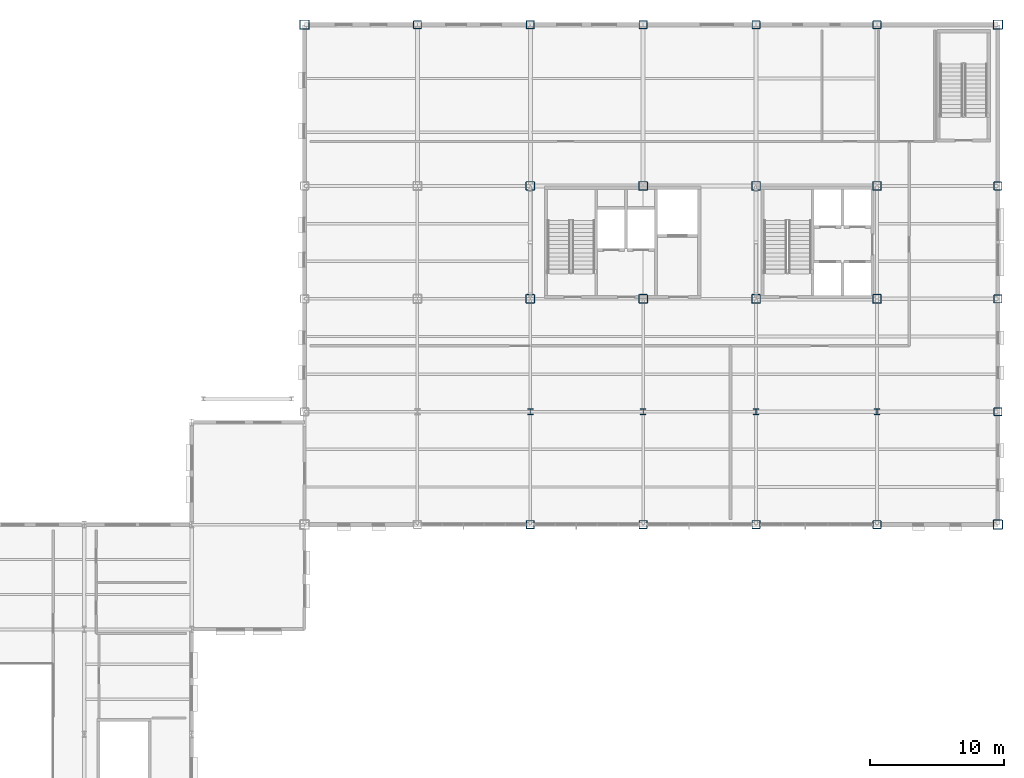
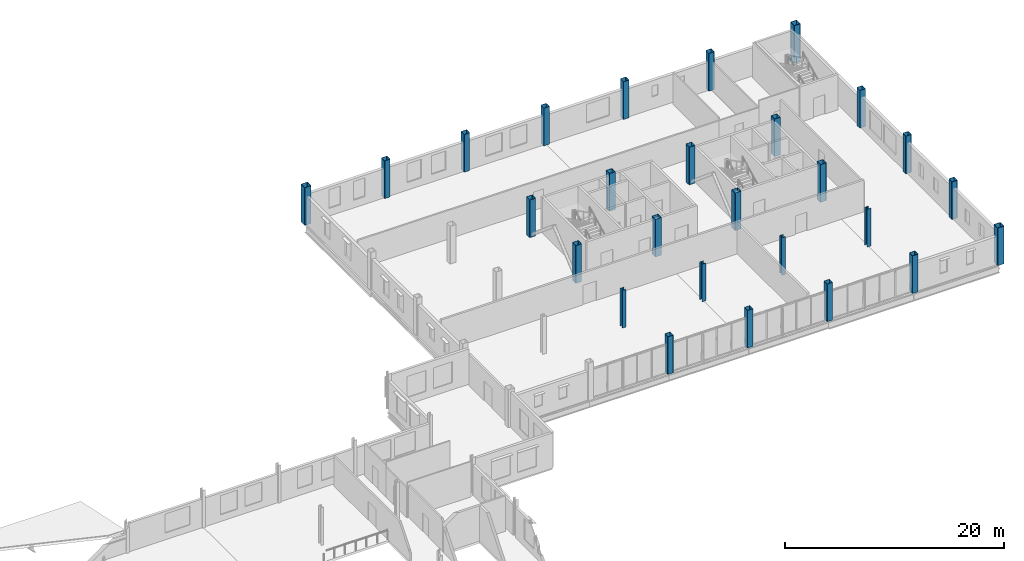
# One storey, part 10 of 45: 27 columns.
"""IFC4 building model written with IfcOpenShell, lengths in metres."""

from ifc_helpers import new_model, si_unit, direction, frame, origin, origin_2d, place, context, subcontext, project, spatial, hollow_rectangle, i_section, extrude, material, material_profile, profile_set, type_object, element, save


model = new_model("IFC4")

# Units and contexts
model_context = context("Model", 3, precision=1e-05, world=origin(), true_north=direction((0.0, 1.0)))
body_context = subcontext(model_context, "Body", "Model", "MODEL_VIEW")
ifc_project = project(units=[si_unit("LENGTHUNIT", "METRE"), si_unit("AREAUNIT", "SQUARE_METRE"), si_unit("VOLUMEUNIT", "CUBIC_METRE"), si_unit("PLANEANGLEUNIT", "RADIAN"), si_unit("MASSUNIT", "GRAM", prefix="KILO")], contexts=[model_context])

# Site, building, storey
site_placement = place(None, origin())
site = spatial("IfcSite", under=ifc_project, at=site_placement, CompositionType="ELEMENT")
building_placement = place(site_placement, origin())
building = spatial("IfcBuilding", under=site, at=building_placement, Name="Yukiwa Park Conservatory and Herbarium", CompositionType="ELEMENT")
storey_placement = place(building_placement, frame((0.0, 0.0, 9.0)))
storey = spatial("IfcBuildingStorey", under=building, at=storey_placement, Name="L02", CompositionType="ELEMENT", Elevation=9.0)

# Columns
ifc_material_1 = material(Name="Steel Q355D", Category="steel")
ifc_material_profile_1 = material_profile(ifc_material_1, hollow_rectangle(XDim=0.60009765625, YDim=0.60009765625, WallThickness=0.02490234375, InnerFilletRadius=0.02490234375, OuterFilletRadius=0.050048828125, at=origin_2d()), Name="BOX 600x600x25")
ifc_profile_set_1 = profile_set([ifc_material_profile_1], Name="Steel Q355D")
column_type_1 = type_object("IfcColumnType", Name="COL-TW-BOX600-EXT", PredefinedType="COLUMN", material=ifc_profile_set_1)
for number, where, z_axis, x_axis, name in (
    (1, (124.800048828125, 115.199951171875, 0.0), (0.0, 0.0, 1.0), (1.0, 0.0, 0.0), "L02 column V5-X1248-Y1152"),
    (2, (133.199951171875, 78.0, 0.0), (0.0, 0.0, 1.0), (1.0, 0.0, 0.0), "L02 column V5-X1332-Y780"),
    (3, (133.199951171875, 115.199951171875, 0.0), (0.0, 0.0, 1.0), (1.0, 0.0, 0.0), "L02 column V5-X1332-Y1152"),
    (4, (141.60009765625, 78.0, 0.0), (0.0, 0.0, 1.0), (1.0, 0.0, 0.0), "L02 column V5-X1416-Y780"),
    (5, (141.60009765625, 115.199951171875, 0.0), (0.0, 0.0, 1.0), (1.0, 0.0, 0.0), "L02 column V5-X1416-Y1152"),
    (6, (150.0, 78.0, 0.0), (0.0, 0.0, 1.0), (1.0, 0.0, 0.0), "L02 column V5-X1500-Y780"),
    (7, (150.0, 115.199951171875, 0.0), (0.0, 0.0, 1.0), (1.0, 0.0, 0.0), "L02 column V5-X1500-Y1152"),
    (8, (159.0, 78.0, 0.0), (0.0, 0.0, 1.0), (1.0, 0.0, 0.0), "L02 column V5-X1590-Y780"),
    (9, (159.0, 115.199951171875, 0.0), (0.0, 0.0, 1.0), (1.0, 0.0, 0.0), "L02 column V5-X1590-Y1152"),
    (10, (168.0, 86.39990234375, 0.0), (0.0, 0.0, 1.0), (1.0, 0.0, 0.0), "L02 column V5-X1680-Y864"),
    (11, (168.0, 94.800048828125, 0.0), (0.0, 0.0, 1.0), (1.0, 0.0, 0.0), "L02 column V5-X1680-Y948"),
    (12, (168.0, 103.199951171875, 0.0), (0.0, 0.0, 1.0), (1.0, 0.0, 0.0), "L02 column V5-X1680-Y1032"),
):
    element("IfcColumn", number, at=place(storey_placement, frame(where, z_axis=z_axis, x_axis=x_axis)), inside=storey, type_object=column_type_1, Name=name, PredefinedType="COLUMN", context=body_context, shape_type="SweptSolid", body=[
        extrude(hollow_rectangle(XDim=0.60009765625, YDim=0.60009765625, WallThickness=0.02490234375, InnerFilletRadius=0.02490234375, OuterFilletRadius=0.050048828125, at=origin_2d()), origin(), (0.0, 0.0, 1.0), 4.199951171875),
    ])
ifc_material_2 = material(Name="Steel Q355D", Category="steel")
ifc_material_profile_2 = material_profile(ifc_material_2, hollow_rectangle(XDim=0.64990234375, YDim=0.64990234375, WallThickness=0.028076171875, InnerFilletRadius=0.028076171875, OuterFilletRadius=0.055908203125, at=origin_2d()), Name="BOX 650x650x28")
ifc_profile_set_2 = profile_set([ifc_material_profile_2], Name="Steel Q355D")
column_type_2 = type_object("IfcColumnType", Name="COL-TW-BOX650", PredefinedType="COLUMN", material=ifc_profile_set_2)
for number, where, z_axis, x_axis, name in (
    (13, (133.199951171875, 94.800048828125, 0.0), (0.0, 0.0, 1.0), (1.0, 0.0, 0.0), "L02 column V5-X1332-Y948"),
    (14, (133.199951171875, 103.199951171875, 0.0), (0.0, 0.0, 1.0), (1.0, 0.0, 0.0), "L02 column V5-X1332-Y1032"),
    (15, (141.60009765625, 94.800048828125, 0.0), (0.0, 0.0, 1.0), (1.0, 0.0, 0.0), "L02 column V5-X1416-Y948"),
    (16, (141.60009765625, 103.199951171875, 0.0), (0.0, 0.0, 1.0), (1.0, 0.0, 0.0), "L02 column V5-X1416-Y1032"),
    (17, (150.0, 94.800048828125, 0.0), (0.0, 0.0, 1.0), (1.0, 0.0, 0.0), "L02 column V5-X1500-Y948"),
    (18, (150.0, 103.199951171875, 0.0), (0.0, 0.0, 1.0), (1.0, 0.0, 0.0), "L02 column V5-X1500-Y1032"),
    (19, (159.0, 94.800048828125, 0.0), (0.0, 0.0, 1.0), (1.0, 0.0, 0.0), "L02 column V5-X1590-Y948"),
    (20, (159.0, 103.199951171875, 0.0), (0.0, 0.0, 1.0), (1.0, 0.0, 0.0), "L02 column V5-X1590-Y1032"),
):
    element("IfcColumn", number, at=place(storey_placement, frame(where, z_axis=z_axis, x_axis=x_axis)), inside=storey, type_object=column_type_2, Name=name, PredefinedType="COLUMN", context=body_context, shape_type="SweptSolid", body=[
        extrude(hollow_rectangle(XDim=0.64990234375, YDim=0.64990234375, WallThickness=0.028076171875, InnerFilletRadius=0.028076171875, OuterFilletRadius=0.055908203125, at=origin_2d()), origin(), (0.0, 0.0, 1.0), 4.199951171875),
    ])
ifc_material_3 = material(Name="Steel Q355D", Category="steel")
ifc_material_profile_3 = material_profile(ifc_material_3, hollow_rectangle(XDim=0.699951171875, YDim=0.699951171875, WallThickness=0.031982421875, InnerFilletRadius=0.031982421875, OuterFilletRadius=0.06396484375, at=origin_2d()), Name="BOX 700x700x32")
ifc_profile_set_3 = profile_set([ifc_material_profile_3], Name="Steel Q355D")
column_type_3 = type_object("IfcColumnType", Name="COL-TW-BOX700-EXT", PredefinedType="COLUMN", material=ifc_profile_set_3)
for number, where, z_axis, x_axis, name in (
    (21, (116.39990234375, 115.199951171875, 0.0), (0.0, 0.0, 1.0), (1.0, 0.0, 0.0), "L02 column V5-X1164-Y1152"),
    (22, (168.0, 78.0, 0.0), (0.0, 0.0, 1.0), (1.0, 0.0, 0.0), "L02 column V5-X1680-Y780"),
    (23, (168.0, 115.199951171875, 0.0), (0.0, 0.0, 1.0), (1.0, 0.0, 0.0), "L02 column V5-X1680-Y1152"),
):
    element("IfcColumn", number, at=place(storey_placement, frame(where, z_axis=z_axis, x_axis=x_axis)), inside=storey, type_object=column_type_3, Name=name, PredefinedType="COLUMN", context=body_context, shape_type="SweptSolid", body=[
        extrude(hollow_rectangle(XDim=0.699951171875, YDim=0.699951171875, WallThickness=0.031982421875, InnerFilletRadius=0.031982421875, OuterFilletRadius=0.06396484375, at=origin_2d()), origin(), (0.0, 0.0, 1.0), 4.199951171875),
    ])
ifc_material_4 = material(Name="Steel Q355D", Category="steel")
ifc_material_profile_4 = material_profile(ifc_material_4, i_section(OverallWidth=0.406982421875, OverallDepth=0.427978515625, WebThickness=0.02001953125, FlangeThickness=0.034912109375, FilletRadius=0.02197265625, at=origin_2d()), Name="HW 428x407x20x35")
ifc_profile_set_4 = profile_set([ifc_material_profile_4], Name="Steel Q355D")
column_type_4 = type_object("IfcColumnType", Name="COL-TW-HW428", PredefinedType="COLUMN", material=ifc_profile_set_4)
for number, where, z_axis, x_axis, name in (
    (24, (133.199951171875, 86.39990234375, 0.0), (0.0, 0.0, 1.0), (1.0, 0.0, 0.0), "L02 column V5-X1332-Y864"),
    (25, (141.60009765625, 86.39990234375, 0.0), (0.0, 0.0, 1.0), (1.0, 0.0, 0.0), "L02 column V5-X1416-Y864"),
    (26, (150.0, 86.39990234375, 0.0), (0.0, 0.0, 1.0), (1.0, 0.0, 0.0), "L02 column V5-X1500-Y864"),
    (27, (159.0, 86.39990234375, 0.0), (0.0, 0.0, 1.0), (1.0, 0.0, 0.0), "L02 column V5-X1590-Y864"),
):
    element("IfcColumn", number, at=place(storey_placement, frame(where, z_axis=z_axis, x_axis=x_axis)), inside=storey, type_object=column_type_4, Name=name, PredefinedType="COLUMN", context=body_context, shape_type="SweptSolid", body=[
        extrude(i_section(OverallWidth=0.406982421875, OverallDepth=0.427978515625, WebThickness=0.02001953125, FlangeThickness=0.034912109375, FilletRadius=0.02197265625, at=origin_2d()), origin(), (0.0, 0.0, 1.0), 4.199951171875),
    ])

save(model, "model.ifc")
